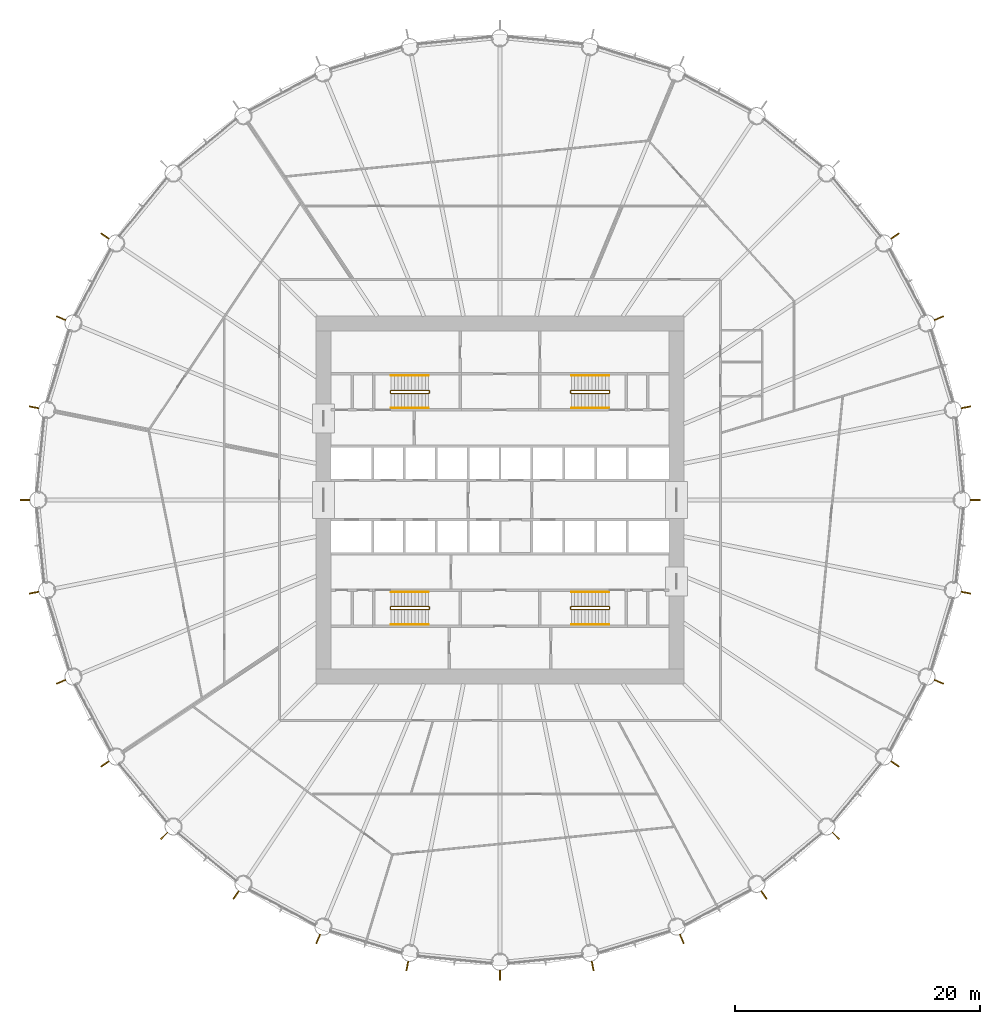
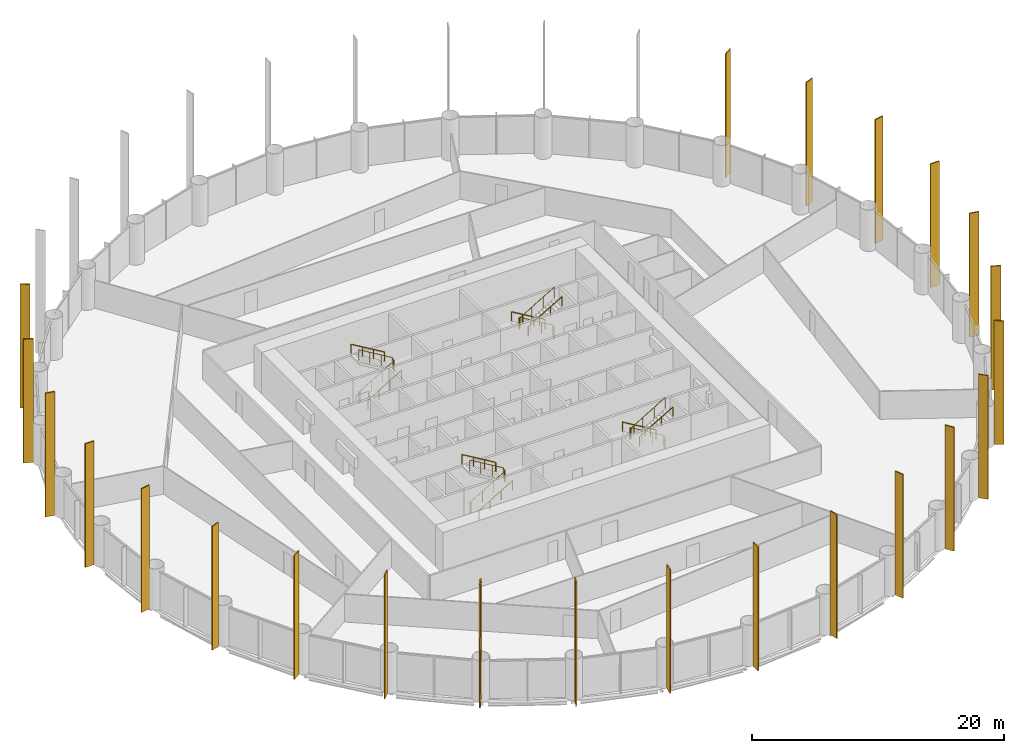
# One storey, part 13 of 14: 23 shading devices, 12 railings.
"""IFC4 building model written with IfcOpenShell, lengths in metres."""

from ifc_helpers import new_model, si_unit, direction, frame, origin, origin_2d, place, context, subcontext, project, spatial, rectangle, circle, extrude, material, material_profile, profile_set, type_object, element, save


model = new_model("IFC4")

# Units and contexts
model_context = context("Model", 3, precision=1e-05, world=origin(), true_north=direction((0.0, 1.0)))
body_context = subcontext(model_context, "Body", "Model", "MODEL_VIEW")
ifc_project = project(units=[si_unit("LENGTHUNIT", "METRE"), si_unit("AREAUNIT", "SQUARE_METRE"), si_unit("VOLUMEUNIT", "CUBIC_METRE"), si_unit("PLANEANGLEUNIT", "RADIAN"), si_unit("MASSUNIT", "GRAM", prefix="KILO")], contexts=[model_context])

# Site, building, storey
site_placement = place(None, origin())
site = spatial("IfcSite", under=ifc_project, at=site_placement, CompositionType="ELEMENT")
building_placement = place(site_placement, origin())
building = spatial("IfcBuilding", under=site, at=building_placement, Name="Corvane Civic Tower", CompositionType="ELEMENT")
storey_placement = place(building_placement, frame((0.0, 0.0, 53.0)))
storey = spatial("IfcBuildingStorey", under=building, at=storey_placement, Name="L11", CompositionType="ELEMENT", Elevation=53.0)

# Railings
ifc_material_1 = material(Name="Steel ASTM A572 Gr 50", Category="steel")
railing_type_1 = type_object("IfcRailingType", Name="ST-GUARD-1100", PredefinedType="GUARDRAIL", material=ifc_material_1)
railing_1_placement = place(storey_placement, frame((8.949951171875, 8.75, 0.0)))
element("IfcRailing", 1, at=railing_1_placement, inside=storey, type_object=railing_type_1, Name="L11 ST1 stair guard 1", PredefinedType="GUARDRAIL", context=body_context, shape_type="SweptSolid", body=[
    extrude(circle(Radius=0.02392578125, at=origin_2d()), frame((0.0, 0.0, 1.076171875), z_axis=(0.0, 1.0, 0.0), x_axis=(-1.0, 0.0, 0.0)), (0.0, 0.0, 1.0), 0.14990234375),
    extrude(circle(Radius=0.02392578125, at=origin_2d()), frame((0.0, 0.14990234375, 1.076171875), z_axis=(-0.27628659633, 0.27628659633, 0.920506074601), x_axis=(-0.707106781187, -0.707106781187, 0.0)), (0.0, 0.0, 1.0), 0.18115234375),
    extrude(circle(Radius=0.02392578125, at=origin_2d()), frame((-0.050048828125, 0.199951171875, 1.24267578125), z_axis=(-0.859290745958, 0.0, 0.51148745235), x_axis=(0.0, -1.0, 0.0)), (0.0, 0.0, 1.0), 3.584228515625),
    extrude(circle(Radius=0.02392578125, at=origin_2d()), frame((-3.1298828125, 0.199951171875, 3.076171875), z_axis=(-0.707106781187, -0.707106781187, 0.0), x_axis=(0.707106781187, -0.707106781187, 0.0)), (0.0, 0.0, 1.0), 0.07080078125),
    extrude(circle(Radius=0.02392578125, at=origin_2d()), frame((-3.179931640625, 0.14990234375, 3.076171875), z_axis=(0.0, -1.0, 0.0), x_axis=(1.0, 0.0, 0.0)), (0.0, 0.0, 1.0), 0.14990234375),
    extrude(circle(Radius=0.02392578125, at=origin_2d()), frame((-3.179931640625, 0.0, 3.076171875), z_axis=(0.27628659633, -0.27628659633, 0.920506074601), x_axis=(0.707106781187, 0.707106781187, 0.0)), (0.0, 0.0, 1.0), 0.18115234375),
    extrude(circle(Radius=0.02392578125, at=origin_2d()), frame((-3.1298828125, -0.050048828125, 3.24267578125), z_axis=(0.859290745958, 0.0, 0.51148745235), x_axis=(0.0, 1.0, 0.0)), (0.0, 0.0, 1.0), 3.584228515625),
    extrude(circle(Radius=0.02099609375, at=origin_2d()), origin(), (0.0, 0.0, 1.0), 1.052001953125),
    extrude(circle(Radius=0.02099609375, at=origin_2d()), frame((0.0, 0.14990234375, 0.0)), (0.0, 0.0, 1.0), 1.052001953125),
    extrude(circle(Radius=0.02099609375, at=origin_2d()), frame((-0.050048828125, 0.199951171875, 0.166748046875)), (0.0, 0.0, 1.0), 1.052001953125),
    extrude(circle(Radius=0.02099609375, at=origin_2d()), frame((-1.07666015625, 0.199951171875, 0.77783203125)), (0.0, 0.0, 1.0), 1.052001953125),
    extrude(circle(Radius=0.02099609375, at=origin_2d()), frame((-2.103271484375, 0.199951171875, 1.388916015625)), (0.0, 0.0, 1.0), 1.052001953125),
    extrude(circle(Radius=0.02099609375, at=origin_2d()), frame((-3.1298828125, 0.199951171875, 2.0)), (0.0, 0.0, 1.0), 1.052001953125),
    extrude(circle(Radius=0.02099609375, at=origin_2d()), frame((-3.179931640625, 0.14990234375, 2.0)), (0.0, 0.0, 1.0), 1.052001953125),
    extrude(circle(Radius=0.02099609375, at=origin_2d()), frame((-3.179931640625, 0.0, 2.0)), (0.0, 0.0, 1.0), 1.052001953125),
    extrude(circle(Radius=0.02099609375, at=origin_2d()), frame((-3.1298828125, -0.050048828125, 2.166748046875)), (0.0, 0.0, 1.0), 1.052001953125),
    extrude(circle(Radius=0.02099609375, at=origin_2d()), frame((-2.103271484375, -0.050048828125, 2.77783203125)), (0.0, 0.0, 1.0), 1.052001953125),
    extrude(circle(Radius=0.02099609375, at=origin_2d()), frame((-1.07666015625, -0.050048828125, 3.388916015625)), (0.0, 0.0, 1.0), 1.052001953125),
    extrude(circle(Radius=0.02099609375, at=origin_2d()), frame((-0.050048828125, -0.050048828125, 4.0)), (0.0, 0.0, 1.0), 1.052001953125),
])
railing_2_placement = place(storey_placement, frame((8.949951171875, -8.89990234375, 0.0)))
element("IfcRailing", 2, at=railing_2_placement, inside=storey, type_object=railing_type_1, Name="L11 ST2 stair guard 1", PredefinedType="GUARDRAIL", context=body_context, shape_type="SweptSolid", body=[
    extrude(circle(Radius=0.02392578125, at=origin_2d()), frame((0.0, 0.0, 1.076171875), z_axis=(0.0, 1.0, 0.0), x_axis=(-1.0, 0.0, 0.0)), (0.0, 0.0, 1.0), 0.14990234375),
    extrude(circle(Radius=0.02392578125, at=origin_2d()), frame((0.0, 0.14990234375, 1.076171875), z_axis=(-0.27628659633, 0.27628659633, 0.920506074601), x_axis=(-0.707106781187, -0.707106781187, 0.0)), (0.0, 0.0, 1.0), 0.18115234375),
    extrude(circle(Radius=0.02392578125, at=origin_2d()), frame((-0.050048828125, 0.199951171875, 1.24267578125), z_axis=(-0.859290745958, 0.0, 0.51148745235), x_axis=(0.0, -1.0, 0.0)), (0.0, 0.0, 1.0), 3.584228515625),
    extrude(circle(Radius=0.02392578125, at=origin_2d()), frame((-3.1298828125, 0.199951171875, 3.076171875), z_axis=(-0.707106781187, -0.707106781187, 0.0), x_axis=(0.707106781187, -0.707106781187, 0.0)), (0.0, 0.0, 1.0), 0.07080078125),
    extrude(circle(Radius=0.02392578125, at=origin_2d()), frame((-3.179931640625, 0.14990234375, 3.076171875), z_axis=(0.0, -1.0, 0.0), x_axis=(1.0, 0.0, 0.0)), (0.0, 0.0, 1.0), 0.14990234375),
    extrude(circle(Radius=0.02392578125, at=origin_2d()), frame((-3.179931640625, 0.0, 3.076171875), z_axis=(0.27628659633, -0.27628659633, 0.920506074601), x_axis=(0.707106781187, 0.707106781187, 0.0)), (0.0, 0.0, 1.0), 0.18115234375),
    extrude(circle(Radius=0.02392578125, at=origin_2d()), frame((-3.1298828125, -0.050048828125, 3.24267578125), z_axis=(0.859290745958, 0.0, 0.51148745235), x_axis=(0.0, 1.0, 0.0)), (0.0, 0.0, 1.0), 3.584228515625),
    extrude(circle(Radius=0.02099609375, at=origin_2d()), origin(), (0.0, 0.0, 1.0), 1.052001953125),
    extrude(circle(Radius=0.02099609375, at=origin_2d()), frame((0.0, 0.14990234375, 0.0)), (0.0, 0.0, 1.0), 1.052001953125),
    extrude(circle(Radius=0.02099609375, at=origin_2d()), frame((-0.050048828125, 0.199951171875, 0.166748046875)), (0.0, 0.0, 1.0), 1.052001953125),
    extrude(circle(Radius=0.02099609375, at=origin_2d()), frame((-1.07666015625, 0.199951171875, 0.77783203125)), (0.0, 0.0, 1.0), 1.052001953125),
    extrude(circle(Radius=0.02099609375, at=origin_2d()), frame((-2.103271484375, 0.199951171875, 1.388916015625)), (0.0, 0.0, 1.0), 1.052001953125),
    extrude(circle(Radius=0.02099609375, at=origin_2d()), frame((-3.1298828125, 0.199951171875, 2.0)), (0.0, 0.0, 1.0), 1.052001953125),
    extrude(circle(Radius=0.02099609375, at=origin_2d()), frame((-3.179931640625, 0.14990234375, 2.0)), (0.0, 0.0, 1.0), 1.052001953125),
    extrude(circle(Radius=0.02099609375, at=origin_2d()), frame((-3.179931640625, 0.0, 2.0)), (0.0, 0.0, 1.0), 1.052001953125),
    extrude(circle(Radius=0.02099609375, at=origin_2d()), frame((-3.1298828125, -0.050048828125, 2.166748046875)), (0.0, 0.0, 1.0), 1.052001953125),
    extrude(circle(Radius=0.02099609375, at=origin_2d()), frame((-2.103271484375, -0.050048828125, 2.77783203125)), (0.0, 0.0, 1.0), 1.052001953125),
    extrude(circle(Radius=0.02099609375, at=origin_2d()), frame((-1.07666015625, -0.050048828125, 3.388916015625)), (0.0, 0.0, 1.0), 1.052001953125),
    extrude(circle(Radius=0.02099609375, at=origin_2d()), frame((-0.050048828125, -0.050048828125, 4.0)), (0.0, 0.0, 1.0), 1.052001953125),
])
railing_3_placement = place(storey_placement, frame((-8.949951171875, -8.75, 0.0)))
element("IfcRailing", 3, at=railing_3_placement, inside=storey, type_object=railing_type_1, Name="L11 ST3 stair guard 1", PredefinedType="GUARDRAIL", context=body_context, shape_type="SweptSolid", body=[
    extrude(circle(Radius=0.02392578125, at=origin_2d()), frame((0.0, 0.0, 1.076171875), z_axis=(0.0, -1.0, 0.0), x_axis=(1.0, 0.0, 0.0)), (0.0, 0.0, 1.0), 0.14990234375),
    extrude(circle(Radius=0.02392578125, at=origin_2d()), frame((0.0, -0.14990234375, 1.076171875), z_axis=(0.27628659633, -0.27628659633, 0.920506074601), x_axis=(0.707106781187, 0.707106781187, 0.0)), (0.0, 0.0, 1.0), 0.18115234375),
    extrude(circle(Radius=0.02392578125, at=origin_2d()), frame((0.050048828125, -0.199951171875, 1.24267578125), z_axis=(0.859290745958, 0.0, 0.51148745235), x_axis=(0.0, 1.0, 0.0)), (0.0, 0.0, 1.0), 3.584228515625),
    extrude(circle(Radius=0.02392578125, at=origin_2d()), frame((3.1298828125, -0.199951171875, 3.076171875), z_axis=(0.707106781187, 0.707106781187, 0.0), x_axis=(-0.707106781187, 0.707106781187, 0.0)), (0.0, 0.0, 1.0), 0.07080078125),
    extrude(circle(Radius=0.02392578125, at=origin_2d()), frame((3.179931640625, -0.14990234375, 3.076171875), z_axis=(0.0, 1.0, 0.0), x_axis=(-1.0, 0.0, 0.0)), (0.0, 0.0, 1.0), 0.14990234375),
    extrude(circle(Radius=0.02392578125, at=origin_2d()), frame((3.179931640625, 0.0, 3.076171875), z_axis=(-0.27628659633, 0.27628659633, 0.920506074601), x_axis=(-0.707106781187, -0.707106781187, 0.0)), (0.0, 0.0, 1.0), 0.18115234375),
    extrude(circle(Radius=0.02392578125, at=origin_2d()), frame((3.1298828125, 0.050048828125, 3.24267578125), z_axis=(-0.859290745958, 0.0, 0.51148745235), x_axis=(0.0, -1.0, 0.0)), (0.0, 0.0, 1.0), 3.584228515625),
    extrude(circle(Radius=0.02099609375, at=origin_2d()), origin(), (0.0, 0.0, 1.0), 1.052001953125),
    extrude(circle(Radius=0.02099609375, at=origin_2d()), frame((0.0, -0.14990234375, 0.0)), (0.0, 0.0, 1.0), 1.052001953125),
    extrude(circle(Radius=0.02099609375, at=origin_2d()), frame((0.050048828125, -0.199951171875, 0.166748046875)), (0.0, 0.0, 1.0), 1.052001953125),
    extrude(circle(Radius=0.02099609375, at=origin_2d()), frame((1.07666015625, -0.199951171875, 0.77783203125)), (0.0, 0.0, 1.0), 1.052001953125),
    extrude(circle(Radius=0.02099609375, at=origin_2d()), frame((2.103271484375, -0.199951171875, 1.388916015625)), (0.0, 0.0, 1.0), 1.052001953125),
    extrude(circle(Radius=0.02099609375, at=origin_2d()), frame((3.1298828125, -0.199951171875, 2.0)), (0.0, 0.0, 1.0), 1.052001953125),
    extrude(circle(Radius=0.02099609375, at=origin_2d()), frame((3.179931640625, -0.14990234375, 2.0)), (0.0, 0.0, 1.0), 1.052001953125),
    extrude(circle(Radius=0.02099609375, at=origin_2d()), frame((3.179931640625, 0.0, 2.0)), (0.0, 0.0, 1.0), 1.052001953125),
    extrude(circle(Radius=0.02099609375, at=origin_2d()), frame((3.1298828125, 0.050048828125, 2.166748046875)), (0.0, 0.0, 1.0), 1.052001953125),
    extrude(circle(Radius=0.02099609375, at=origin_2d()), frame((2.103271484375, 0.050048828125, 2.77783203125)), (0.0, 0.0, 1.0), 1.052001953125),
    extrude(circle(Radius=0.02099609375, at=origin_2d()), frame((1.07666015625, 0.050048828125, 3.388916015625)), (0.0, 0.0, 1.0), 1.052001953125),
    extrude(circle(Radius=0.02099609375, at=origin_2d()), frame((0.050048828125, 0.050048828125, 4.0)), (0.0, 0.0, 1.0), 1.052001953125),
])
railing_4_placement = place(storey_placement, frame((-8.949951171875, 8.89990234375, 0.0)))
element("IfcRailing", 4, at=railing_4_placement, inside=storey, type_object=railing_type_1, Name="L11 ST4 stair guard 1", PredefinedType="GUARDRAIL", context=body_context, shape_type="SweptSolid", body=[
    extrude(circle(Radius=0.02392578125, at=origin_2d()), frame((0.0, 0.0, 1.076171875), z_axis=(0.0, -1.0, 0.0), x_axis=(1.0, 0.0, 0.0)), (0.0, 0.0, 1.0), 0.14990234375),
    extrude(circle(Radius=0.02392578125, at=origin_2d()), frame((0.0, -0.14990234375, 1.076171875), z_axis=(0.27628659633, -0.27628659633, 0.920506074601), x_axis=(0.707106781187, 0.707106781187, 0.0)), (0.0, 0.0, 1.0), 0.18115234375),
    extrude(circle(Radius=0.02392578125, at=origin_2d()), frame((0.050048828125, -0.199951171875, 1.24267578125), z_axis=(0.859290745958, 0.0, 0.51148745235), x_axis=(0.0, 1.0, 0.0)), (0.0, 0.0, 1.0), 3.584228515625),
    extrude(circle(Radius=0.02392578125, at=origin_2d()), frame((3.1298828125, -0.199951171875, 3.076171875), z_axis=(0.707106781187, 0.707106781187, 0.0), x_axis=(-0.707106781187, 0.707106781187, 0.0)), (0.0, 0.0, 1.0), 0.07080078125),
    extrude(circle(Radius=0.02392578125, at=origin_2d()), frame((3.179931640625, -0.14990234375, 3.076171875), z_axis=(0.0, 1.0, 0.0), x_axis=(-1.0, 0.0, 0.0)), (0.0, 0.0, 1.0), 0.14990234375),
    extrude(circle(Radius=0.02392578125, at=origin_2d()), frame((3.179931640625, 0.0, 3.076171875), z_axis=(-0.27628659633, 0.27628659633, 0.920506074601), x_axis=(-0.707106781187, -0.707106781187, 0.0)), (0.0, 0.0, 1.0), 0.18115234375),
    extrude(circle(Radius=0.02392578125, at=origin_2d()), frame((3.1298828125, 0.050048828125, 3.24267578125), z_axis=(-0.859290745958, 0.0, 0.51148745235), x_axis=(0.0, -1.0, 0.0)), (0.0, 0.0, 1.0), 3.584228515625),
    extrude(circle(Radius=0.02099609375, at=origin_2d()), origin(), (0.0, 0.0, 1.0), 1.052001953125),
    extrude(circle(Radius=0.02099609375, at=origin_2d()), frame((0.0, -0.14990234375, 0.0)), (0.0, 0.0, 1.0), 1.052001953125),
    extrude(circle(Radius=0.02099609375, at=origin_2d()), frame((0.050048828125, -0.199951171875, 0.166748046875)), (0.0, 0.0, 1.0), 1.052001953125),
    extrude(circle(Radius=0.02099609375, at=origin_2d()), frame((1.07666015625, -0.199951171875, 0.77783203125)), (0.0, 0.0, 1.0), 1.052001953125),
    extrude(circle(Radius=0.02099609375, at=origin_2d()), frame((2.103271484375, -0.199951171875, 1.388916015625)), (0.0, 0.0, 1.0), 1.052001953125),
    extrude(circle(Radius=0.02099609375, at=origin_2d()), frame((3.1298828125, -0.199951171875, 2.0)), (0.0, 0.0, 1.0), 1.052001953125),
    extrude(circle(Radius=0.02099609375, at=origin_2d()), frame((3.179931640625, -0.14990234375, 2.0)), (0.0, 0.0, 1.0), 1.052001953125),
    extrude(circle(Radius=0.02099609375, at=origin_2d()), frame((3.179931640625, 0.0, 2.0)), (0.0, 0.0, 1.0), 1.052001953125),
    extrude(circle(Radius=0.02099609375, at=origin_2d()), frame((3.1298828125, 0.050048828125, 2.166748046875)), (0.0, 0.0, 1.0), 1.052001953125),
    extrude(circle(Radius=0.02099609375, at=origin_2d()), frame((2.103271484375, 0.050048828125, 2.77783203125)), (0.0, 0.0, 1.0), 1.052001953125),
    extrude(circle(Radius=0.02099609375, at=origin_2d()), frame((1.07666015625, 0.050048828125, 3.388916015625)), (0.0, 0.0, 1.0), 1.052001953125),
    extrude(circle(Radius=0.02099609375, at=origin_2d()), frame((0.050048828125, 0.050048828125, 4.0)), (0.0, 0.0, 1.0), 1.052001953125),
])
ifc_material_2 = material(Name="Steel ASTM A572 Gr 50", Category="steel")
railing_type_2 = type_object("IfcRailingType", Name="ST-HANDRAIL-900", PredefinedType="HANDRAIL", material=ifc_material_2)
railing_5_placement = place(storey_placement, frame((8.89990234375, 10.14990234375, 0.166748046875)))
element("IfcRailing", 5, at=railing_5_placement, inside=storey, type_object=railing_type_2, Name="L11 ST1 stair handrail 1", PredefinedType="HANDRAIL", context=body_context, shape_type="SweptSolid", body=[
    extrude(circle(Radius=0.02392578125, at=origin_2d()), frame((0.0, 0.0, 0.8759765625), z_axis=(-0.859290745958, 0.0, 0.51148745235), x_axis=(0.0, -1.0, 0.0)), (0.0, 0.0, 1.0), 3.584228515625),
    extrude(circle(Radius=0.02099609375, at=origin_2d()), origin(), (0.0, 0.0, 1.0), 0.851806640625),
    extrude(circle(Radius=0.02099609375, at=origin_2d()), frame((-1.026611328125, 0.0, 0.611083984375)), (0.0, 0.0, 1.0), 0.851806640625),
    extrude(circle(Radius=0.02099609375, at=origin_2d()), frame((-2.05322265625, 0.0, 1.22216796875)), (0.0, 0.0, 1.0), 0.851806640625),
    extrude(circle(Radius=0.02099609375, at=origin_2d()), frame((-3.079833984375, 0.0, 1.833251953125)), (0.0, 0.0, 1.0), 0.851806640625),
])
railing_6_placement = place(storey_placement, frame((5.820068359375, 7.5, 2.166748046875)))
element("IfcRailing", 6, at=railing_6_placement, inside=storey, type_object=railing_type_2, Name="L11 ST1 stair handrail 2", PredefinedType="HANDRAIL", context=body_context, shape_type="SweptSolid", body=[
    extrude(circle(Radius=0.02392578125, at=origin_2d()), frame((0.0, 0.0, 0.8759765625), z_axis=(0.859290745958, 0.0, 0.51148745235), x_axis=(0.0, 1.0, 0.0)), (0.0, 0.0, 1.0), 3.584228515625),
    extrude(circle(Radius=0.02099609375, at=origin_2d()), origin(), (0.0, 0.0, 1.0), 0.851806640625),
    extrude(circle(Radius=0.02099609375, at=origin_2d()), frame((1.026611328125, 0.0, 0.611083984375)), (0.0, 0.0, 1.0), 0.851806640625),
    extrude(circle(Radius=0.02099609375, at=origin_2d()), frame((2.05322265625, 0.0, 1.22216796875)), (0.0, 0.0, 1.0), 0.851806640625),
    extrude(circle(Radius=0.02099609375, at=origin_2d()), frame((3.079833984375, 0.0, 1.833251953125)), (0.0, 0.0, 1.0), 0.851806640625),
])
railing_7_placement = place(storey_placement, frame((8.89990234375, -7.5, 0.166748046875)))
element("IfcRailing", 7, at=railing_7_placement, inside=storey, type_object=railing_type_2, Name="L11 ST2 stair handrail 1", PredefinedType="HANDRAIL", context=body_context, shape_type="SweptSolid", body=[
    extrude(circle(Radius=0.02392578125, at=origin_2d()), frame((0.0, 0.0, 0.8759765625), z_axis=(-0.859290745958, 0.0, 0.51148745235), x_axis=(0.0, -1.0, 0.0)), (0.0, 0.0, 1.0), 3.584228515625),
    extrude(circle(Radius=0.02099609375, at=origin_2d()), origin(), (0.0, 0.0, 1.0), 0.851806640625),
    extrude(circle(Radius=0.02099609375, at=origin_2d()), frame((-1.026611328125, 0.0, 0.611083984375)), (0.0, 0.0, 1.0), 0.851806640625),
    extrude(circle(Radius=0.02099609375, at=origin_2d()), frame((-2.05322265625, 0.0, 1.22216796875)), (0.0, 0.0, 1.0), 0.851806640625),
    extrude(circle(Radius=0.02099609375, at=origin_2d()), frame((-3.079833984375, 0.0, 1.833251953125)), (0.0, 0.0, 1.0), 0.851806640625),
])
for number, where, name in (
    (8, (5.820068359375, -10.14990234375, 2.166748046875), "L11 ST2 stair handrail 2"),
    (9, (-8.89990234375, -10.14990234375, 0.166748046875), "L11 ST3 stair handrail 1"),
):
    element("IfcRailing", number, at=place(storey_placement, frame(where)), inside=storey, type_object=railing_type_2, Name=name, PredefinedType="HANDRAIL", context=body_context, shape_type="SweptSolid", body=[
        extrude(circle(Radius=0.02392578125, at=origin_2d()), frame((0.0, 0.0, 0.8759765625), z_axis=(0.859290745958, 0.0, 0.51148745235), x_axis=(0.0, 1.0, 0.0)), (0.0, 0.0, 1.0), 3.584228515625),
        extrude(circle(Radius=0.02099609375, at=origin_2d()), origin(), (0.0, 0.0, 1.0), 0.851806640625),
        extrude(circle(Radius=0.02099609375, at=origin_2d()), frame((1.026611328125, 0.0, 0.611083984375)), (0.0, 0.0, 1.0), 0.851806640625),
        extrude(circle(Radius=0.02099609375, at=origin_2d()), frame((2.05322265625, 0.0, 1.22216796875)), (0.0, 0.0, 1.0), 0.851806640625),
        extrude(circle(Radius=0.02099609375, at=origin_2d()), frame((3.079833984375, 0.0, 1.833251953125)), (0.0, 0.0, 1.0), 0.851806640625),
    ])
railing_8_placement = place(storey_placement, frame((-5.820068359375, -7.5, 2.166748046875)))
element("IfcRailing", 10, at=railing_8_placement, inside=storey, type_object=railing_type_2, Name="L11 ST3 stair handrail 2", PredefinedType="HANDRAIL", context=body_context, shape_type="SweptSolid", body=[
    extrude(circle(Radius=0.02392578125, at=origin_2d()), frame((0.0, 0.0, 0.8759765625), z_axis=(-0.859290745958, 0.0, 0.51148745235), x_axis=(0.0, -1.0, 0.0)), (0.0, 0.0, 1.0), 3.584228515625),
    extrude(circle(Radius=0.02099609375, at=origin_2d()), origin(), (0.0, 0.0, 1.0), 0.851806640625),
    extrude(circle(Radius=0.02099609375, at=origin_2d()), frame((-1.026611328125, 0.0, 0.611083984375)), (0.0, 0.0, 1.0), 0.851806640625),
    extrude(circle(Radius=0.02099609375, at=origin_2d()), frame((-2.05322265625, 0.0, 1.22216796875)), (0.0, 0.0, 1.0), 0.851806640625),
    extrude(circle(Radius=0.02099609375, at=origin_2d()), frame((-3.079833984375, 0.0, 1.833251953125)), (0.0, 0.0, 1.0), 0.851806640625),
])
railing_9_placement = place(storey_placement, frame((-8.89990234375, 7.5, 0.166748046875)))
element("IfcRailing", 11, at=railing_9_placement, inside=storey, type_object=railing_type_2, Name="L11 ST4 stair handrail 1", PredefinedType="HANDRAIL", context=body_context, shape_type="SweptSolid", body=[
    extrude(circle(Radius=0.02392578125, at=origin_2d()), frame((0.0, 0.0, 0.8759765625), z_axis=(0.859290745958, 0.0, 0.51148745235), x_axis=(0.0, 1.0, 0.0)), (0.0, 0.0, 1.0), 3.584228515625),
    extrude(circle(Radius=0.02099609375, at=origin_2d()), origin(), (0.0, 0.0, 1.0), 0.851806640625),
    extrude(circle(Radius=0.02099609375, at=origin_2d()), frame((1.026611328125, 0.0, 0.611083984375)), (0.0, 0.0, 1.0), 0.851806640625),
    extrude(circle(Radius=0.02099609375, at=origin_2d()), frame((2.05322265625, 0.0, 1.22216796875)), (0.0, 0.0, 1.0), 0.851806640625),
    extrude(circle(Radius=0.02099609375, at=origin_2d()), frame((3.079833984375, 0.0, 1.833251953125)), (0.0, 0.0, 1.0), 0.851806640625),
])
railing_10_placement = place(storey_placement, frame((-5.820068359375, 10.14990234375, 2.166748046875)))
element("IfcRailing", 12, at=railing_10_placement, inside=storey, type_object=railing_type_2, Name="L11 ST4 stair handrail 2", PredefinedType="HANDRAIL", context=body_context, shape_type="SweptSolid", body=[
    extrude(circle(Radius=0.02392578125, at=origin_2d()), frame((0.0, 0.0, 0.8759765625), z_axis=(-0.859290745958, 0.0, 0.51148745235), x_axis=(0.0, -1.0, 0.0)), (0.0, 0.0, 1.0), 3.584228515625),
    extrude(circle(Radius=0.02099609375, at=origin_2d()), origin(), (0.0, 0.0, 1.0), 0.851806640625),
    extrude(circle(Radius=0.02099609375, at=origin_2d()), frame((-1.026611328125, 0.0, 0.611083984375)), (0.0, 0.0, 1.0), 0.851806640625),
    extrude(circle(Radius=0.02099609375, at=origin_2d()), frame((-2.05322265625, 0.0, 1.22216796875)), (0.0, 0.0, 1.0), 0.851806640625),
    extrude(circle(Radius=0.02099609375, at=origin_2d()), frame((-3.079833984375, 0.0, 1.833251953125)), (0.0, 0.0, 1.0), 0.851806640625),
])

# Shading devices
ifc_material_3 = material(Name="Anodised aluminium bronze", Category="aluminium")
ifc_material_profile = material_profile(ifc_material_3, rectangle(XDim=0.10009765625, YDim=0.800048828125, at=origin_2d()), Name="TOWER FIN STACK 100x800 BRONZE")
ifc_profile_set = profile_set([ifc_material_profile], Name="Anodised aluminium bronze")
shading_device_type = type_object("IfcShadingDeviceType", Name="TOWER FIN STACK 100x800 BRONZE", PredefinedType="USERDEFINED", material=ifc_profile_set)
for number, where, z_axis, x_axis, name in (
    (13, (32.244384765625, 21.544921875, 0.0), (0.0, 0.0, 1.0), (0.55557023302, -0.831469612303, 0.0), "Fin 06 L11 to L13"),
    (14, (35.828125, 14.840576171875, 0.0), (0.0, 0.0, 1.0), (0.382683432365, -0.923879532511, 0.0), "Fin 07 L11 to L13"),
    (15, (38.034912109375, 7.565673828125, 0.0), (0.0, 0.0, 1.0), (0.195090322016, -0.980785280403, 0.0), "Fin 08 L11 to L13"),
    (16, (38.780029296875, 0.0, 0.0), (0.0, 0.0, 1.0), (0.0, -1.0, 0.0), "Fin 09 L11 to L13"),
    (17, (38.034912109375, -7.565673828125, 0.0), (0.0, 0.0, 1.0), (-0.195090322016, -0.980785280403, 0.0), "Fin 10 L11 to L13"),
    (18, (35.828125, -14.840576171875, 0.0), (0.0, 0.0, 1.0), (-0.382683432365, -0.923879532511, 0.0), "Fin 11 L11 to L13"),
    (19, (32.244384765625, -21.544921875, 0.0), (0.0, 0.0, 1.0), (-0.55557023302, -0.831469612303, 0.0), "Fin 12 L11 to L13"),
    (20, (27.421630859375, -27.421630859375, 0.0), (0.0, 0.0, 1.0), (-0.707106781187, -0.707106781187, 0.0), "Fin 13 L11 to L13"),
    (21, (21.544921875, -32.244384765625, 0.0), (0.0, 0.0, 1.0), (-0.831469612303, -0.55557023302, 0.0), "Fin 14 L11 to L13"),
    (22, (14.840576171875, -35.828125, 0.0), (0.0, 0.0, 1.0), (-0.923879532511, -0.382683432365, 0.0), "Fin 15 L11 to L13"),
    (23, (7.565673828125, -38.034912109375, 0.0), (0.0, 0.0, 1.0), (-0.980785280403, -0.195090322016, 0.0), "Fin 16 L11 to L13"),
    (24, (0.0, -38.780029296875, 0.0), (0.0, 0.0, 1.0), (-1.0, 0.0, 0.0), "Fin 17 L11 to L13"),
    (25, (-7.565673828125, -38.034912109375, 0.0), (0.0, 0.0, 1.0), (-0.980785280403, 0.195090322016, 0.0), "Fin 18 L11 to L13"),
    (26, (-14.840576171875, -35.828125, 0.0), (0.0, 0.0, 1.0), (-0.923879532511, 0.382683432365, 0.0), "Fin 19 L11 to L13"),
    (27, (-21.544921875, -32.244384765625, 0.0), (0.0, 0.0, 1.0), (-0.831469612303, 0.55557023302, 0.0), "Fin 20 L11 to L13"),
    (28, (-27.421630859375, -27.421630859375, 0.0), (0.0, 0.0, 1.0), (-0.707106781187, 0.707106781187, 0.0), "Fin 21 L11 to L13"),
    (29, (-32.244384765625, -21.544921875, 0.0), (0.0, 0.0, 1.0), (-0.55557023302, 0.831469612303, 0.0), "Fin 22 L11 to L13"),
    (30, (-35.828125, -14.840576171875, 0.0), (0.0, 0.0, 1.0), (-0.382683432365, 0.923879532511, 0.0), "Fin 23 L11 to L13"),
    (31, (-38.034912109375, -7.565673828125, 0.0), (0.0, 0.0, 1.0), (-0.195090322016, 0.980785280403, 0.0), "Fin 24 L11 to L13"),
    (32, (-38.780029296875, 0.0, 0.0), (0.0, 0.0, 1.0), (0.0, 1.0, 0.0), "Fin 25 L11 to L13"),
    (33, (-38.034912109375, 7.565673828125, 0.0), (0.0, 0.0, 1.0), (0.195090322016, 0.980785280403, 0.0), "Fin 26 L11 to L13"),
    (34, (-35.828125, 14.840576171875, 0.0), (0.0, 0.0, 1.0), (0.382683432365, 0.923879532511, 0.0), "Fin 27 L11 to L13"),
    (35, (-32.244384765625, 21.544921875, 0.0), (0.0, 0.0, 1.0), (0.55557023302, 0.831469612303, 0.0), "Fin 28 L11 to L13"),
):
    element("IfcShadingDevice", number, at=place(storey_placement, frame(where, z_axis=z_axis, x_axis=x_axis)), inside=storey, type_object=shading_device_type, Name=name, ObjectType="FIN", PredefinedType="USERDEFINED", context=body_context, shape_type="SweptSolid", body=[
        extrude(rectangle(XDim=0.10009765625, YDim=0.800048828125, at=origin_2d()), origin(), (0.0, 0.0, 1.0), 12.0),
    ])

save(model, "model.ifc")
